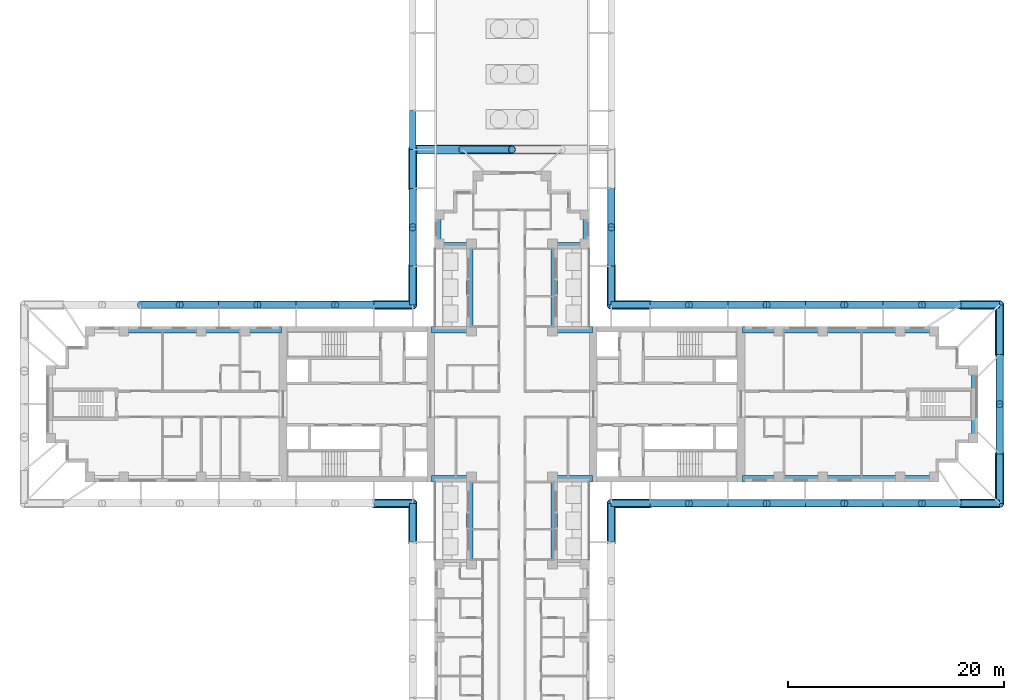
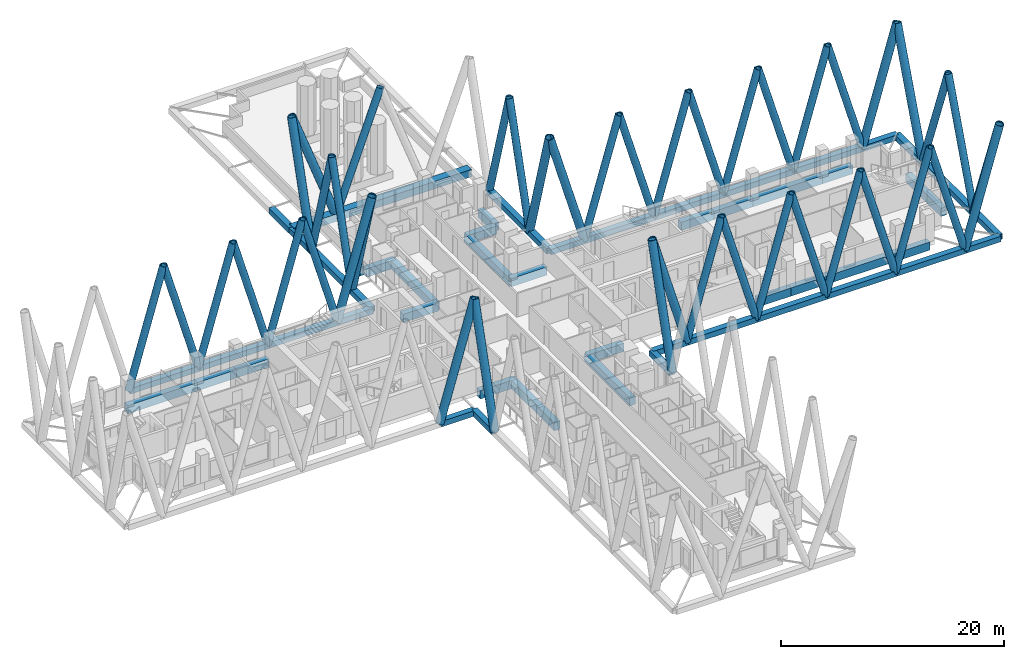
# One storey, part 2 of 16: 72 members, 24 beams.
"""IFC4 building model written with IfcOpenShell, lengths in metres."""

from ifc_helpers import new_model, si_unit, direction, frame, origin, origin_2d, place, context, subcontext, project, spatial, rectangle, hollow_rectangle, hollow_circle, extrude, material, material_profile, profile_set, type_object, element, save


model = new_model("IFC4")

# Units and contexts
model_context = context("Model", 3, precision=1e-05, world=origin(), true_north=direction((0.0, 1.0)))
body_context = subcontext(model_context, "Body", "Model", "MODEL_VIEW")
ifc_project = project(units=[si_unit("LENGTHUNIT", "METRE"), si_unit("AREAUNIT", "SQUARE_METRE"), si_unit("VOLUMEUNIT", "CUBIC_METRE"), si_unit("PLANEANGLEUNIT", "RADIAN"), si_unit("MASSUNIT", "GRAM", prefix="KILO")], contexts=[model_context])

# Site, building, storey
site_placement = place(None, origin())
site = spatial("IfcSite", under=ifc_project, at=site_placement, CompositionType="ELEMENT")
building_placement = place(site_placement, origin())
building = spatial("IfcBuilding", under=site, at=building_placement, Name="Fustian Cross Tower", CompositionType="ELEMENT")
storey_placement = place(building_placement, frame((0.0, 0.0, 66.89990234375)))
storey = spatial("IfcBuildingStorey", under=building, at=storey_placement, Name="L20", CompositionType="ELEMENT", Elevation=66.89990234375)

# Members
ifc_material_1 = material(Name="Steel S355", Category="steel")
ifc_material_profile_1 = material_profile(ifc_material_1, hollow_circle(Radius=0.355712890625, WallThickness=0.031982421875, at=origin_2d()), Name="CHS 711x32")
ifc_profile_set_1 = profile_set([ifc_material_profile_1], Name="Steel S355")
member_type_1 = type_object("IfcMemberType", Name="DIAGRID DIAGONAL CHS 711x32", PredefinedType="BRACE", material=ifc_profile_set_1)
for number, where, z_axis, x_axis, name in (
    (1, (12.800048828125, -9.199951171875, -0.39990234375), (0.278801756922, 0.0, 0.960348676438), (0.0, 1.0, 0.0), "Diagrid diagonal E-S 02"),
    (2, (20.0, -9.199951171875, -0.39990234375), (-0.278819195264, 0.0, 0.960343613689), (0.0, -1.0, 0.0), "Diagrid diagonal E-S 03"),
    (3, (20.0, -9.199951171875, -0.39990234375), (0.278819195264, 0.0, 0.960343613689), (0.0, 1.0, 0.0), "Diagrid diagonal E-S 04"),
    (4, (27.199951171875, -9.199951171875, -0.39990234375), (-0.278801756922, 0.0, 0.960348676438), (0.0, -1.0, 0.0), "Diagrid diagonal E-S 05"),
    (5, (27.199951171875, -9.199951171875, -0.39990234375), (0.278819195264, 0.0, 0.960343613689), (0.0, 1.0, 0.0), "Diagrid diagonal E-S 06"),
    (6, (34.39990234375, -9.199951171875, -0.39990234375), (-0.278801756922, 0.0, 0.960348676438), (0.0, -1.0, 0.0), "Diagrid diagonal E-S 07"),
    (7, (34.39990234375, -9.199951171875, -0.39990234375), (0.278819195264, 0.0, 0.960343613689), (0.0, 1.0, 0.0), "Diagrid diagonal E-S 08"),
    (8, (41.60009765625, -9.199951171875, -0.39990234375), (-0.278819195264, 0.0, 0.960343613689), (0.0, -1.0, 0.0), "Diagrid diagonal E-S 09"),
):
    element("IfcMember", number, at=place(storey_placement, frame(where, z_axis=z_axis, x_axis=x_axis)), inside=storey, type_object=member_type_1, Name=name, PredefinedType="BRACE", context=body_context, shape_type="SweptSolid", body=[
        extrude(hollow_circle(Radius=0.355712890625, WallThickness=0.031982421875, at=origin_2d()), origin(), (0.0, 0.0, 1.0), 12.911865234375),
    ])
for number, where, z_axis, x_axis, name in (
    (9, (45.199951171875, -4.60009765625, -0.39990234375), (0.0, 0.347815721372, 0.937562917338), (-1.0, 0.0, 0.0), "Diagrid diagonal E-end 02"),
    (10, (45.199951171875, 4.60009765625, -0.39990234375), (0.0, -0.347815721372, 0.937562917338), (1.0, 0.0, 0.0), "Diagrid diagonal E-end 03"),
):
    element("IfcMember", number, at=place(storey_placement, frame(where, z_axis=z_axis, x_axis=x_axis)), inside=storey, type_object=member_type_1, Name=name, PredefinedType="BRACE", context=body_context, shape_type="SweptSolid", body=[
        extrude(hollow_circle(Radius=0.355712890625, WallThickness=0.031982421875, at=origin_2d()), origin(), (0.0, 0.0, 1.0), 13.2255859375),
    ])
for number, where, z_axis, x_axis, name in (
    (11, (41.60009765625, 9.199951171875, -0.39990234375), (-0.278819195264, 0.0, 0.960343613689), (0.0, -1.0, 0.0), "Diagrid diagonal E-N 02"),
    (12, (34.39990234375, 9.199951171875, -0.39990234375), (0.278819195264, 0.0, 0.960343613689), (0.0, 1.0, 0.0), "Diagrid diagonal E-N 03"),
    (13, (34.39990234375, 9.199951171875, -0.39990234375), (-0.278801756922, 0.0, 0.960348676438), (0.0, -1.0, 0.0), "Diagrid diagonal E-N 04"),
    (14, (27.199951171875, 9.199951171875, -0.39990234375), (0.278819195264, 0.0, 0.960343613689), (0.0, 1.0, 0.0), "Diagrid diagonal E-N 05"),
    (15, (27.199951171875, 9.199951171875, -0.39990234375), (-0.278801756922, 0.0, 0.960348676438), (0.0, -1.0, 0.0), "Diagrid diagonal E-N 06"),
    (16, (20.0, 9.199951171875, -0.39990234375), (0.278819195264, 0.0, 0.960343613689), (0.0, 1.0, 0.0), "Diagrid diagonal E-N 07"),
    (17, (20.0, 9.199951171875, -0.39990234375), (-0.278819195264, 0.0, 0.960343613689), (0.0, -1.0, 0.0), "Diagrid diagonal E-N 08"),
    (18, (12.800048828125, 9.199951171875, -0.39990234375), (0.278801756922, 0.0, 0.960348676438), (0.0, 1.0, 0.0), "Diagrid diagonal E-N 09"),
    (19, (9.199951171875, 12.800048828125, -0.39990234375), (0.0, 0.278801756922, 0.960348676438), (-1.0, 0.0, 0.0), "Diagrid diagonal N-E 02"),
    (20, (9.199951171875, 20.0, -0.39990234375), (0.0, -0.278819195264, 0.960343613689), (1.0, 0.0, 0.0), "Diagrid diagonal N-E 03"),
):
    element("IfcMember", number, at=place(storey_placement, frame(where, z_axis=z_axis, x_axis=x_axis)), inside=storey, type_object=member_type_1, Name=name, PredefinedType="BRACE", context=body_context, shape_type="SweptSolid", body=[
        extrude(hollow_circle(Radius=0.355712890625, WallThickness=0.031982421875, at=origin_2d()), origin(), (0.0, 0.0, 1.0), 12.911865234375),
    ])
member_1_placement = place(storey_placement, frame((-4.60009765625, 23.60009765625, -0.39990234375), z_axis=(0.347815721372, 0.0, 0.937562917338), x_axis=(0.0, 1.0, 0.0)))
element("IfcMember", 21, at=member_1_placement, inside=storey, type_object=member_type_1, Name="Diagrid diagonal N-end 03", PredefinedType="BRACE", context=body_context, shape_type="SweptSolid", body=[
    extrude(hollow_circle(Radius=0.355712890625, WallThickness=0.031982421875, at=origin_2d()), origin(), (0.0, 0.0, 1.0), 13.2255859375),
])
for number, where, z_axis, x_axis, name in (
    (22, (-9.199951171875, 20.0, -0.39990234375), (0.0, -0.278819195264, 0.960343613689), (1.0, 0.0, 0.0), "Diagrid diagonal N-W 02"),
    (23, (-9.199951171875, 12.800048828125, -0.39990234375), (0.0, 0.278801756922, 0.960348676438), (-1.0, 0.0, 0.0), "Diagrid diagonal N-W 03"),
    (24, (-12.800048828125, 9.199951171875, -0.39990234375), (-0.278801756922, 0.0, 0.960348676438), (0.0, -1.0, 0.0), "Diagrid diagonal W-N 02"),
    (25, (-20.0, 9.199951171875, -0.39990234375), (0.278819195264, 0.0, 0.960343613689), (0.0, 1.0, 0.0), "Diagrid diagonal W-N 03"),
    (26, (-20.0, 9.199951171875, -0.39990234375), (-0.278819195264, 0.0, 0.960343613689), (0.0, -1.0, 0.0), "Diagrid diagonal W-N 04"),
    (27, (-27.199951171875, 9.199951171875, -0.39990234375), (0.278801756922, 0.0, 0.960348676438), (0.0, 1.0, 0.0), "Diagrid diagonal W-N 05"),
    (28, (-27.199951171875, 9.199951171875, -0.39990234375), (-0.278819195264, 0.0, 0.960343613689), (0.0, -1.0, 0.0), "Diagrid diagonal W-N 06"),
    (29, (-34.39990234375, 9.199951171875, -0.39990234375), (0.278801756922, 0.0, 0.960348676438), (0.0, 1.0, 0.0), "Diagrid diagonal W-N 07"),
):
    element("IfcMember", number, at=place(storey_placement, frame(where, z_axis=z_axis, x_axis=x_axis)), inside=storey, type_object=member_type_1, Name=name, PredefinedType="BRACE", context=body_context, shape_type="SweptSolid", body=[
        extrude(hollow_circle(Radius=0.355712890625, WallThickness=0.031982421875, at=origin_2d()), origin(), (0.0, 0.0, 1.0), 12.911865234375),
    ])
ifc_material_2 = material(Name="Steel S355", Category="steel")
ifc_material_profile_2 = material_profile(ifc_material_2, hollow_circle(Radius=0.406494140625, WallThickness=0.0400390625, at=origin_2d()), Name="CHS 813x40")
ifc_profile_set_2 = profile_set([ifc_material_profile_2], Name="Steel S355")
member_type_2 = type_object("IfcMemberType", Name="DIAGRID DIAGONAL CHS 813x40", PredefinedType="BRACE", material=ifc_profile_set_2)
for number, where, z_axis, x_axis, name in (
    (30, (12.800048828125, -9.199951171875, -0.39990234375), (-0.278819195264, 0.0, 0.960343613689), (0.0, -1.0, 0.0), "Diagrid diagonal E-S 01"),
    (31, (41.60009765625, -9.199951171875, -0.39990234375), (0.278801756922, 0.0, 0.960348676438), (0.0, 1.0, 0.0), "Diagrid diagonal E-S 10"),
):
    element("IfcMember", number, at=place(storey_placement, frame(where, z_axis=z_axis, x_axis=x_axis)), inside=storey, type_object=member_type_2, Name=name, PredefinedType="BRACE", context=body_context, shape_type="SweptSolid", body=[
        extrude(hollow_circle(Radius=0.406494140625, WallThickness=0.0400390625, at=origin_2d()), origin(), (0.0, 0.0, 1.0), 12.911865234375),
    ])
for number, where, z_axis, x_axis, name in (
    (32, (45.199951171875, -4.60009765625, -0.39990234375), (0.0, -0.347799494783, 0.937568936894), (1.0, 0.0, 0.0), "Diagrid diagonal E-end 01"),
    (33, (45.199951171875, 4.60009765625, -0.39990234375), (0.0, 0.347799494783, 0.937568936894), (-1.0, 0.0, 0.0), "Diagrid diagonal E-end 04"),
):
    element("IfcMember", number, at=place(storey_placement, frame(where, z_axis=z_axis, x_axis=x_axis)), inside=storey, type_object=member_type_2, Name=name, PredefinedType="BRACE", context=body_context, shape_type="SweptSolid", body=[
        extrude(hollow_circle(Radius=0.406494140625, WallThickness=0.0400390625, at=origin_2d()), origin(), (0.0, 0.0, 1.0), 13.2255859375),
    ])
for number, where, z_axis, x_axis, name in (
    (34, (41.60009765625, 9.199951171875, -0.39990234375), (0.278801756922, 0.0, 0.960348676438), (0.0, 1.0, 0.0), "Diagrid diagonal E-N 01"),
    (35, (12.800048828125, 9.199951171875, -0.39990234375), (-0.278819195264, 0.0, 0.960343613689), (0.0, -1.0, 0.0), "Diagrid diagonal E-N 10"),
    (36, (9.199951171875, 12.800048828125, -0.39990234375), (0.0, -0.278819195264, 0.960343613689), (1.0, 0.0, 0.0), "Diagrid diagonal N-E 01"),
):
    element("IfcMember", number, at=place(storey_placement, frame(where, z_axis=z_axis, x_axis=x_axis)), inside=storey, type_object=member_type_2, Name=name, PredefinedType="BRACE", context=body_context, shape_type="SweptSolid", body=[
        extrude(hollow_circle(Radius=0.406494140625, WallThickness=0.0400390625, at=origin_2d()), origin(), (0.0, 0.0, 1.0), 12.911865234375),
    ])
member_2_placement = place(storey_placement, frame((-4.60009765625, 23.60009765625, -0.39990234375), z_axis=(-0.347799494783, 0.0, 0.937568936894), x_axis=(0.0, -1.0, 0.0)))
element("IfcMember", 37, at=member_2_placement, inside=storey, type_object=member_type_2, Name="Diagrid diagonal N-end 04", PredefinedType="BRACE", context=body_context, shape_type="SweptSolid", body=[
    extrude(hollow_circle(Radius=0.406494140625, WallThickness=0.0400390625, at=origin_2d()), origin(), (0.0, 0.0, 1.0), 13.2255859375),
])
for number, where, z_axis, x_axis, name in (
    (38, (-9.199951171875, 20.0, -0.39990234375), (0.0, 0.278819195264, 0.960343613689), (-1.0, 0.0, 0.0), "Diagrid diagonal N-W 01"),
    (39, (-9.199951171875, 12.800048828125, -0.39990234375), (0.0, -0.278819195264, 0.960343613689), (1.0, 0.0, 0.0), "Diagrid diagonal N-W 04"),
    (40, (-12.800048828125, 9.199951171875, -0.39990234375), (0.278819195264, 0.0, 0.960343613689), (0.0, 1.0, 0.0), "Diagrid diagonal W-N 01"),
    (41, (-12.800048828125, -9.199951171875, -0.39990234375), (0.278819195264, 0.0, 0.960343613689), (0.0, 1.0, 0.0), "Diagrid diagonal W-S 10"),
    (42, (-9.199951171875, -12.800048828125, -0.39990234375), (0.0, 0.278819195264, 0.960343613689), (-1.0, 0.0, 0.0), "Diagrid diagonal S-W 01"),
    (43, (9.199951171875, -12.800048828125, -0.39990234375), (0.0, 0.278819195264, 0.960343613689), (-1.0, 0.0, 0.0), "Diagrid diagonal S-E 10"),
):
    element("IfcMember", number, at=place(storey_placement, frame(where, z_axis=z_axis, x_axis=x_axis)), inside=storey, type_object=member_type_2, Name=name, PredefinedType="BRACE", context=body_context, shape_type="SweptSolid", body=[
        extrude(hollow_circle(Radius=0.406494140625, WallThickness=0.0400390625, at=origin_2d()), origin(), (0.0, 0.0, 1.0), 12.911865234375),
    ])
ifc_material_3 = material(Name="Steel S355", Category="steel")
ifc_material_profile_3 = material_profile(ifc_material_3, hollow_rectangle(XDim=0.60009765625, YDim=0.60009765625, WallThickness=0.030029296875, at=origin_2d()), Name="RHS 600x600x30")
ifc_profile_set_3 = profile_set([ifc_material_profile_3], Name="Steel S355")
member_type_3 = type_object("IfcMemberType", Name="DIAGRID RING RHS 600x600x30", PredefinedType="MEMBER", material=ifc_profile_set_3)
member_3_placement = place(storey_placement, frame((45.199951171875, -4.60009765625, -0.39990234375), z_axis=(0.0, 1.0, 0.0), x_axis=(-1.0, 0.0, 0.0)))
element("IfcMember", 44, at=member_3_placement, inside=storey, type_object=member_type_3, Name="Diagrid ring L20-65 L20-01", PredefinedType="MEMBER", context=body_context, shape_type="SweptSolid", body=[
    extrude(hollow_rectangle(XDim=0.60009765625, YDim=0.60009765625, WallThickness=0.030029296875, at=origin_2d()), origin(), (0.0, 0.0, 1.0), 9.2001953125),
])
member_4_placement = place(storey_placement, frame((45.199951171875, 4.60009765625, -0.39990234375), z_axis=(0.0, 1.0, 0.0), x_axis=(-1.0, 0.0, 0.0)))
element("IfcMember", 45, at=member_4_placement, inside=storey, type_object=member_type_3, Name="Diagrid ring L20-01 L20-02", PredefinedType="MEMBER", context=body_context, shape_type="SweptSolid", body=[
    extrude(hollow_rectangle(XDim=0.60009765625, YDim=0.60009765625, WallThickness=0.030029296875, at=origin_2d()), origin(), (0.0, 0.0, 1.0), 4.599853515625),
])
member_5_placement = place(storey_placement, frame((45.199951171875, 9.199951171875, -0.39990234375), z_axis=(-1.0, 0.0, 0.0), x_axis=(0.0, -1.0, 0.0)))
element("IfcMember", 46, at=member_5_placement, inside=storey, type_object=member_type_3, Name="Diagrid ring L20-02 L20-03", PredefinedType="MEMBER", context=body_context, shape_type="SweptSolid", body=[
    extrude(hollow_rectangle(XDim=0.60009765625, YDim=0.60009765625, WallThickness=0.030029296875, at=origin_2d()), origin(), (0.0, 0.0, 1.0), 3.599853515625),
])
member_6_placement = place(storey_placement, frame((41.60009765625, 9.199951171875, -0.39990234375), z_axis=(-1.0, 0.0, 0.0), x_axis=(0.0, -1.0, 0.0)))
element("IfcMember", 47, at=member_6_placement, inside=storey, type_object=member_type_3, Name="Diagrid ring L20-03 L20-04", PredefinedType="MEMBER", context=body_context, shape_type="SweptSolid", body=[
    extrude(hollow_rectangle(XDim=0.60009765625, YDim=0.60009765625, WallThickness=0.030029296875, at=origin_2d()), origin(), (0.0, 0.0, 1.0), 7.2001953125),
])
for number, where, z_axis, x_axis, name in (
    (48, (34.39990234375, 9.199951171875, -0.39990234375), (-1.0, 0.0, 0.0), (0.0, -1.0, 0.0), "Diagrid ring L20-04 L20-05"),
    (49, (27.199951171875, 9.199951171875, -0.39990234375), (-1.0, 0.0, 0.0), (0.0, -1.0, 0.0), "Diagrid ring L20-05 L20-06"),
    (50, (20.0, 9.199951171875, -0.39990234375), (-1.0, 0.0, 0.0), (0.0, -1.0, 0.0), "Diagrid ring L20-06 L20-07"),
):
    element("IfcMember", number, at=place(storey_placement, frame(where, z_axis=z_axis, x_axis=x_axis)), inside=storey, type_object=member_type_3, Name=name, PredefinedType="MEMBER", context=body_context, shape_type="SweptSolid", body=[
        extrude(hollow_rectangle(XDim=0.60009765625, YDim=0.60009765625, WallThickness=0.030029296875, at=origin_2d()), origin(), (0.0, 0.0, 1.0), 7.199951171875),
    ])
for number, where, z_axis, x_axis, name in (
    (51, (12.800048828125, 9.199951171875, -0.39990234375), (-1.0, 0.0, 0.0), (0.0, -1.0, 0.0), "Diagrid ring L20-07 L20-08"),
    (52, (9.199951171875, 9.199951171875, -0.39990234375), (0.0, 1.0, 0.0), (-1.0, 0.0, 0.0), "Diagrid ring L20-08 L20-09"),
):
    element("IfcMember", number, at=place(storey_placement, frame(where, z_axis=z_axis, x_axis=x_axis)), inside=storey, type_object=member_type_3, Name=name, PredefinedType="MEMBER", context=body_context, shape_type="SweptSolid", body=[
        extrude(hollow_rectangle(XDim=0.60009765625, YDim=0.60009765625, WallThickness=0.030029296875, at=origin_2d()), origin(), (0.0, 0.0, 1.0), 3.60009765625),
    ])
member_7_placement = place(storey_placement, frame((9.199951171875, 12.800048828125, -0.39990234375), z_axis=(0.0, 1.0, 0.0), x_axis=(-1.0, 0.0, 0.0)))
element("IfcMember", 53, at=member_7_placement, inside=storey, type_object=member_type_3, Name="Diagrid ring L20-09 L20-10", PredefinedType="MEMBER", context=body_context, shape_type="SweptSolid", body=[
    extrude(hollow_rectangle(XDim=0.60009765625, YDim=0.60009765625, WallThickness=0.030029296875, at=origin_2d()), origin(), (0.0, 0.0, 1.0), 7.199951171875),
])
member_8_placement = place(storey_placement, frame((-9.199951171875, 27.199951171875, -0.39990234375), z_axis=(0.0, -1.0, 0.0), x_axis=(1.0, 0.0, 0.0)))
element("IfcMember", 54, at=member_8_placement, inside=storey, type_object=member_type_3, Name="Diagrid ring L20-23 L20-24", PredefinedType="MEMBER", context=body_context, shape_type="SweptSolid", body=[
    extrude(hollow_rectangle(XDim=0.60009765625, YDim=0.60009765625, WallThickness=0.030029296875, at=origin_2d()), origin(), (0.0, 0.0, 1.0), 3.599853515625),
])
member_9_placement = place(storey_placement, frame((-9.199951171875, 23.60009765625, -0.39990234375), z_axis=(0.0, -1.0, 0.0), x_axis=(1.0, 0.0, 0.0)))
element("IfcMember", 55, at=member_9_placement, inside=storey, type_object=member_type_3, Name="Diagrid ring L20-24 L20-25", PredefinedType="MEMBER", context=body_context, shape_type="SweptSolid", body=[
    extrude(hollow_rectangle(XDim=0.60009765625, YDim=0.60009765625, WallThickness=0.030029296875, at=origin_2d()), origin(), (0.0, 0.0, 1.0), 3.60009765625),
])
member_10_placement = place(storey_placement, frame((-9.199951171875, 20.0, -0.39990234375), z_axis=(0.0, -1.0, 0.0), x_axis=(1.0, 0.0, 0.0)))
element("IfcMember", 56, at=member_10_placement, inside=storey, type_object=member_type_3, Name="Diagrid ring L20-25 L20-26", PredefinedType="MEMBER", context=body_context, shape_type="SweptSolid", body=[
    extrude(hollow_rectangle(XDim=0.60009765625, YDim=0.60009765625, WallThickness=0.030029296875, at=origin_2d()), origin(), (0.0, 0.0, 1.0), 7.199951171875),
])
for number, where, z_axis, x_axis, name in (
    (57, (-9.199951171875, 12.800048828125, -0.39990234375), (0.0, -1.0, 0.0), (1.0, 0.0, 0.0), "Diagrid ring L20-26 L20-27"),
    (58, (-9.199951171875, 9.199951171875, -0.39990234375), (-1.0, 0.0, 0.0), (0.0, -1.0, 0.0), "Diagrid ring L20-27 L20-28"),
):
    element("IfcMember", number, at=place(storey_placement, frame(where, z_axis=z_axis, x_axis=x_axis)), inside=storey, type_object=member_type_3, Name=name, PredefinedType="MEMBER", context=body_context, shape_type="SweptSolid", body=[
        extrude(hollow_rectangle(XDim=0.60009765625, YDim=0.60009765625, WallThickness=0.030029296875, at=origin_2d()), origin(), (0.0, 0.0, 1.0), 3.60009765625),
    ])
for number, where, z_axis, x_axis, name in (
    (59, (-12.800048828125, 9.199951171875, -0.39990234375), (-1.0, 0.0, 0.0), (0.0, -1.0, 0.0), "Diagrid ring L20-28 L20-29"),
    (60, (-20.0, 9.199951171875, -0.39990234375), (-1.0, 0.0, 0.0), (0.0, -1.0, 0.0), "Diagrid ring L20-29 L20-30"),
    (61, (-27.199951171875, 9.199951171875, -0.39990234375), (-1.0, 0.0, 0.0), (0.0, -1.0, 0.0), "Diagrid ring L20-30 L20-31"),
):
    element("IfcMember", number, at=place(storey_placement, frame(where, z_axis=z_axis, x_axis=x_axis)), inside=storey, type_object=member_type_3, Name=name, PredefinedType="MEMBER", context=body_context, shape_type="SweptSolid", body=[
        extrude(hollow_rectangle(XDim=0.60009765625, YDim=0.60009765625, WallThickness=0.030029296875, at=origin_2d()), origin(), (0.0, 0.0, 1.0), 7.199951171875),
    ])
for number, where, z_axis, x_axis, name in (
    (62, (-12.800048828125, -9.199951171875, -0.39990234375), (1.0, 0.0, 0.0), (0.0, 1.0, 0.0), "Diagrid ring L20-42 L20-43"),
    (63, (-9.199951171875, -9.199951171875, -0.39990234375), (0.0, -1.0, 0.0), (1.0, 0.0, 0.0), "Diagrid ring L20-43 L20-44"),
    (64, (9.199951171875, -12.800048828125, -0.39990234375), (0.0, 1.0, 0.0), (-1.0, 0.0, 0.0), "Diagrid ring L20-57 L20-58"),
    (65, (9.199951171875, -9.199951171875, -0.39990234375), (1.0, 0.0, 0.0), (0.0, 1.0, 0.0), "Diagrid ring L20-58 L20-59"),
):
    element("IfcMember", number, at=place(storey_placement, frame(where, z_axis=z_axis, x_axis=x_axis)), inside=storey, type_object=member_type_3, Name=name, PredefinedType="MEMBER", context=body_context, shape_type="SweptSolid", body=[
        extrude(hollow_rectangle(XDim=0.60009765625, YDim=0.60009765625, WallThickness=0.030029296875, at=origin_2d()), origin(), (0.0, 0.0, 1.0), 3.60009765625),
    ])
for number, where, z_axis, x_axis, name in (
    (66, (12.800048828125, -9.199951171875, -0.39990234375), (1.0, 0.0, 0.0), (0.0, 1.0, 0.0), "Diagrid ring L20-59 L20-60"),
    (67, (20.0, -9.199951171875, -0.39990234375), (1.0, 0.0, 0.0), (0.0, 1.0, 0.0), "Diagrid ring L20-60 L20-61"),
    (68, (27.199951171875, -9.199951171875, -0.39990234375), (1.0, 0.0, 0.0), (0.0, 1.0, 0.0), "Diagrid ring L20-61 L20-62"),
):
    element("IfcMember", number, at=place(storey_placement, frame(where, z_axis=z_axis, x_axis=x_axis)), inside=storey, type_object=member_type_3, Name=name, PredefinedType="MEMBER", context=body_context, shape_type="SweptSolid", body=[
        extrude(hollow_rectangle(XDim=0.60009765625, YDim=0.60009765625, WallThickness=0.030029296875, at=origin_2d()), origin(), (0.0, 0.0, 1.0), 7.199951171875),
    ])
member_11_placement = place(storey_placement, frame((34.39990234375, -9.199951171875, -0.39990234375), z_axis=(1.0, 0.0, 0.0), x_axis=(0.0, 1.0, 0.0)))
element("IfcMember", 69, at=member_11_placement, inside=storey, type_object=member_type_3, Name="Diagrid ring L20-62 L20-63", PredefinedType="MEMBER", context=body_context, shape_type="SweptSolid", body=[
    extrude(hollow_rectangle(XDim=0.60009765625, YDim=0.60009765625, WallThickness=0.030029296875, at=origin_2d()), origin(), (0.0, 0.0, 1.0), 7.2001953125),
])
member_12_placement = place(storey_placement, frame((41.60009765625, -9.199951171875, -0.39990234375), z_axis=(1.0, 0.0, 0.0), x_axis=(0.0, 1.0, 0.0)))
element("IfcMember", 70, at=member_12_placement, inside=storey, type_object=member_type_3, Name="Diagrid ring L20-63 L20-64", PredefinedType="MEMBER", context=body_context, shape_type="SweptSolid", body=[
    extrude(hollow_rectangle(XDim=0.60009765625, YDim=0.60009765625, WallThickness=0.030029296875, at=origin_2d()), origin(), (0.0, 0.0, 1.0), 3.599853515625),
])
member_13_placement = place(storey_placement, frame((45.199951171875, -9.199951171875, -0.39990234375), z_axis=(0.0, 1.0, 0.0), x_axis=(-1.0, 0.0, 0.0)))
element("IfcMember", 71, at=member_13_placement, inside=storey, type_object=member_type_3, Name="Diagrid ring L20-64 L20-65", PredefinedType="MEMBER", context=body_context, shape_type="SweptSolid", body=[
    extrude(hollow_rectangle(XDim=0.60009765625, YDim=0.60009765625, WallThickness=0.030029296875, at=origin_2d()), origin(), (0.0, 0.0, 1.0), 4.599853515625),
])
ifc_material_4 = material(Name="Steel S355", Category="steel")
ifc_material_profile_4 = material_profile(ifc_material_4, hollow_rectangle(XDim=0.800048828125, YDim=0.800048828125, WallThickness=0.0400390625, at=origin_2d()), Name="RHS 800x800x40")
ifc_profile_set_4 = profile_set([ifc_material_profile_4], Name="Steel S355")
member_type_4 = type_object("IfcMemberType", Name="DIAGRID RING RHS 800x800x40", PredefinedType="MEMBER", material=ifc_profile_set_4)
member_14_placement = place(storey_placement, frame((9.199951171875, 23.60009765625, -0.39990234375), z_axis=(-1.0, 0.0, 0.0), x_axis=(0.0, -1.0, 0.0)))
element("IfcMember", 72, at=member_14_placement, inside=storey, type_object=member_type_4, Name="Diagrid ring L20-11 L20-24", PredefinedType="MEMBER", context=body_context, shape_type="SweptSolid", body=[
    extrude(hollow_rectangle(XDim=0.800048828125, YDim=0.800048828125, WallThickness=0.0400390625, at=origin_2d()), origin(), (0.0, 0.0, 1.0), 18.39990234375),
])

# Beams
ifc_material_5 = material(Name="Concrete C50/60", Category="concrete")
ifc_material_profile_5 = material_profile(ifc_material_5, rectangle(XDim=0.60009765625, YDim=0.89990234375, at=origin_2d()), Name="RC 600x900")
ifc_profile_set_5 = profile_set([ifc_material_profile_5], Name="Concrete C50/60")
beam_type = type_object("IfcBeamType", Name="EDGE BEAM RC 600x900 C50/60", PredefinedType="SPANDREL", material=ifc_profile_set_5)
beam_1_placement = place(storey_placement, frame((21.35009765625, -6.89990234375, -0.449951171875), z_axis=(1.0, 0.0, 0.0), x_axis=(0.0, 1.0, 0.0)))
element("IfcBeam", 73, at=beam_1_placement, inside=storey, type_object=beam_type, Name="EDGE BEAM L20-01", PredefinedType="SPANDREL", context=body_context, shape_type="SweptSolid", body=[
    extrude(rectangle(XDim=0.60009765625, YDim=0.89990234375, at=origin_2d()), origin(), (0.0, 0.0, 1.0), 3.39990234375),
])
beam_2_placement = place(storey_placement, frame((24.75, -6.89990234375, -0.449951171875), z_axis=(1.0, 0.0, 0.0), x_axis=(0.0, 1.0, 0.0)))
element("IfcBeam", 74, at=beam_2_placement, inside=storey, type_object=beam_type, Name="EDGE BEAM L20-02", PredefinedType="SPANDREL", context=body_context, shape_type="SweptSolid", body=[
    extrude(rectangle(XDim=0.60009765625, YDim=0.89990234375, at=origin_2d()), origin(), (0.0, 0.0, 1.0), 4.050048828125),
])
beam_3_placement = place(storey_placement, frame((28.800048828125, -6.89990234375, -0.449951171875), z_axis=(1.0, 0.0, 0.0), x_axis=(0.0, 1.0, 0.0)))
element("IfcBeam", 75, at=beam_3_placement, inside=storey, type_object=beam_type, Name="EDGE BEAM L20-03", PredefinedType="SPANDREL", context=body_context, shape_type="SweptSolid", body=[
    extrude(rectangle(XDim=0.60009765625, YDim=0.89990234375, at=origin_2d()), origin(), (0.0, 0.0, 1.0), 7.199951171875),
])
beam_4_placement = place(storey_placement, frame((36.0, -6.89990234375, -0.449951171875), z_axis=(1.0, 0.0, 0.0), x_axis=(0.0, 1.0, 0.0)))
element("IfcBeam", 76, at=beam_4_placement, inside=storey, type_object=beam_type, Name="EDGE BEAM L20-04", PredefinedType="SPANDREL", context=body_context, shape_type="SweptSolid", body=[
    extrude(rectangle(XDim=0.60009765625, YDim=0.89990234375, at=origin_2d()), origin(), (0.0, 0.0, 1.0), 3.14990234375),
])
beam_5_placement = place(storey_placement, frame((42.89990234375, -3.14990234375, -0.449951171875), z_axis=(0.0, 1.0, 0.0), x_axis=(-1.0, 0.0, 0.0)))
element("IfcBeam", 77, at=beam_5_placement, inside=storey, type_object=beam_type, Name="EDGE BEAM L20-05", PredefinedType="SPANDREL", context=body_context, shape_type="SweptSolid", body=[
    extrude(rectangle(XDim=0.60009765625, YDim=0.89990234375, at=origin_2d()), origin(), (0.0, 0.0, 1.0), 6.2998046875),
])
beam_6_placement = place(storey_placement, frame((39.14990234375, 6.89990234375, -0.449951171875), z_axis=(-1.0, 0.0, 0.0), x_axis=(0.0, -1.0, 0.0)))
element("IfcBeam", 78, at=beam_6_placement, inside=storey, type_object=beam_type, Name="EDGE BEAM L20-06", PredefinedType="SPANDREL", context=body_context, shape_type="SweptSolid", body=[
    extrude(rectangle(XDim=0.60009765625, YDim=0.89990234375, at=origin_2d()), origin(), (0.0, 0.0, 1.0), 3.14990234375),
])
beam_7_placement = place(storey_placement, frame((36.0, 6.89990234375, -0.449951171875), z_axis=(-1.0, 0.0, 0.0), x_axis=(0.0, -1.0, 0.0)))
element("IfcBeam", 79, at=beam_7_placement, inside=storey, type_object=beam_type, Name="EDGE BEAM L20-07", PredefinedType="SPANDREL", context=body_context, shape_type="SweptSolid", body=[
    extrude(rectangle(XDim=0.60009765625, YDim=0.89990234375, at=origin_2d()), origin(), (0.0, 0.0, 1.0), 7.199951171875),
])
beam_8_placement = place(storey_placement, frame((28.800048828125, 6.89990234375, -0.449951171875), z_axis=(-1.0, 0.0, 0.0), x_axis=(0.0, -1.0, 0.0)))
element("IfcBeam", 80, at=beam_8_placement, inside=storey, type_object=beam_type, Name="EDGE BEAM L20-08", PredefinedType="SPANDREL", context=body_context, shape_type="SweptSolid", body=[
    extrude(rectangle(XDim=0.60009765625, YDim=0.89990234375, at=origin_2d()), origin(), (0.0, 0.0, 1.0), 4.050048828125),
])
beam_9_placement = place(storey_placement, frame((24.75, 6.89990234375, -0.449951171875), z_axis=(-1.0, 0.0, 0.0), x_axis=(0.0, -1.0, 0.0)))
element("IfcBeam", 81, at=beam_9_placement, inside=storey, type_object=beam_type, Name="EDGE BEAM L20-09", PredefinedType="SPANDREL", context=body_context, shape_type="SweptSolid", body=[
    extrude(rectangle(XDim=0.60009765625, YDim=0.89990234375, at=origin_2d()), origin(), (0.0, 0.0, 1.0), 3.39990234375),
])
beam_10_placement = place(storey_placement, frame((7.449951171875, 6.89990234375, -0.449951171875), z_axis=(-1.0, 0.0, 0.0), x_axis=(0.0, -1.0, 0.0)))
element("IfcBeam", 82, at=beam_10_placement, inside=storey, type_object=beam_type, Name="EDGE BEAM L20-10", PredefinedType="SPANDREL", context=body_context, shape_type="SweptSolid", body=[
    extrude(rectangle(XDim=0.60009765625, YDim=0.89990234375, at=origin_2d()), origin(), (0.0, 0.0, 1.0), 3.699951171875),
])
beam_11_placement = place(storey_placement, frame((3.89990234375, 6.75, -0.449951171875), z_axis=(0.0, 1.0, 0.0), x_axis=(-1.0, 0.0, 0.0)))
element("IfcBeam", 83, at=beam_11_placement, inside=storey, type_object=beam_type, Name="EDGE BEAM L20-11", PredefinedType="SPANDREL", context=body_context, shape_type="SweptSolid", body=[
    extrude(rectangle(XDim=0.60009765625, YDim=0.89990234375, at=origin_2d()), origin(), (0.0, 0.0, 1.0), 8.10009765625),
])
beam_12_placement = place(storey_placement, frame((3.75, 14.699951171875, -0.449951171875), z_axis=(1.0, 0.0, 0.0), x_axis=(0.0, 1.0, 0.0)))
element("IfcBeam", 84, at=beam_12_placement, inside=storey, type_object=beam_type, Name="EDGE BEAM L20-12", PredefinedType="SPANDREL", context=body_context, shape_type="SweptSolid", body=[
    extrude(rectangle(XDim=0.60009765625, YDim=0.89990234375, at=origin_2d()), origin(), (0.0, 0.0, 1.0), 3.0),
])
for number, where, z_axis, x_axis, name in (
    (85, (6.89990234375, 14.85009765625, -0.449951171875), (0.0, 1.0, 0.0), (-1.0, 0.0, 0.0), "EDGE BEAM L20-13"),
    (86, (-6.89990234375, 17.550048828125, -0.449951171875), (0.0, -1.0, 0.0), (1.0, 0.0, 0.0), "EDGE BEAM L20-14"),
):
    element("IfcBeam", number, at=place(storey_placement, frame(where, z_axis=z_axis, x_axis=x_axis)), inside=storey, type_object=beam_type, Name=name, PredefinedType="SPANDREL", context=body_context, shape_type="SweptSolid", body=[
        extrude(rectangle(XDim=0.60009765625, YDim=0.89990234375, at=origin_2d()), origin(), (0.0, 0.0, 1.0), 2.699951171875),
    ])
beam_13_placement = place(storey_placement, frame((-6.75, 14.699951171875, -0.449951171875), z_axis=(1.0, 0.0, 0.0), x_axis=(0.0, 1.0, 0.0)))
element("IfcBeam", 87, at=beam_13_placement, inside=storey, type_object=beam_type, Name="EDGE BEAM L20-15", PredefinedType="SPANDREL", context=body_context, shape_type="SweptSolid", body=[
    extrude(rectangle(XDim=0.60009765625, YDim=0.89990234375, at=origin_2d()), origin(), (0.0, 0.0, 1.0), 3.0),
])
beam_14_placement = place(storey_placement, frame((-3.89990234375, 14.85009765625, -0.449951171875), z_axis=(0.0, -1.0, 0.0), x_axis=(1.0, 0.0, 0.0)))
element("IfcBeam", 88, at=beam_14_placement, inside=storey, type_object=beam_type, Name="EDGE BEAM L20-16", PredefinedType="SPANDREL", context=body_context, shape_type="SweptSolid", body=[
    extrude(rectangle(XDim=0.60009765625, YDim=0.89990234375, at=origin_2d()), origin(), (0.0, 0.0, 1.0), 8.10009765625),
])
beam_15_placement = place(storey_placement, frame((-3.75, 6.89990234375, -0.449951171875), z_axis=(-1.0, 0.0, 0.0), x_axis=(0.0, -1.0, 0.0)))
element("IfcBeam", 89, at=beam_15_placement, inside=storey, type_object=beam_type, Name="EDGE BEAM L20-17", PredefinedType="SPANDREL", context=body_context, shape_type="SweptSolid", body=[
    extrude(rectangle(XDim=0.60009765625, YDim=0.89990234375, at=origin_2d()), origin(), (0.0, 0.0, 1.0), 3.699951171875),
])
beam_16_placement = place(storey_placement, frame((-21.35009765625, 6.89990234375, -0.449951171875), z_axis=(-1.0, 0.0, 0.0), x_axis=(0.0, -1.0, 0.0)))
element("IfcBeam", 90, at=beam_16_placement, inside=storey, type_object=beam_type, Name="EDGE BEAM L20-18", PredefinedType="SPANDREL", context=body_context, shape_type="SweptSolid", body=[
    extrude(rectangle(XDim=0.60009765625, YDim=0.89990234375, at=origin_2d()), origin(), (0.0, 0.0, 1.0), 3.39990234375),
])
beam_17_placement = place(storey_placement, frame((-24.75, 6.89990234375, -0.449951171875), z_axis=(-1.0, 0.0, 0.0), x_axis=(0.0, -1.0, 0.0)))
element("IfcBeam", 91, at=beam_17_placement, inside=storey, type_object=beam_type, Name="EDGE BEAM L20-19", PredefinedType="SPANDREL", context=body_context, shape_type="SweptSolid", body=[
    extrude(rectangle(XDim=0.60009765625, YDim=0.89990234375, at=origin_2d()), origin(), (0.0, 0.0, 1.0), 4.050048828125),
])
beam_18_placement = place(storey_placement, frame((-28.800048828125, 6.89990234375, -0.449951171875), z_axis=(-1.0, 0.0, 0.0), x_axis=(0.0, -1.0, 0.0)))
element("IfcBeam", 92, at=beam_18_placement, inside=storey, type_object=beam_type, Name="EDGE BEAM L20-20", PredefinedType="SPANDREL", context=body_context, shape_type="SweptSolid", body=[
    extrude(rectangle(XDim=0.60009765625, YDim=0.89990234375, at=origin_2d()), origin(), (0.0, 0.0, 1.0), 7.199951171875),
])
beam_19_placement = place(storey_placement, frame((-7.449951171875, -6.89990234375, -0.449951171875), z_axis=(1.0, 0.0, 0.0), x_axis=(0.0, 1.0, 0.0)))
element("IfcBeam", 93, at=beam_19_placement, inside=storey, type_object=beam_type, Name="EDGE BEAM L20-27", PredefinedType="SPANDREL", context=body_context, shape_type="SweptSolid", body=[
    extrude(rectangle(XDim=0.60009765625, YDim=0.89990234375, at=origin_2d()), origin(), (0.0, 0.0, 1.0), 3.699951171875),
])
for number, where, z_axis, x_axis, name in (
    (94, (-3.89990234375, -6.75, -0.449951171875), (0.0, -1.0, 0.0), (1.0, 0.0, 0.0), "EDGE BEAM L20-28"),
    (95, (3.89990234375, -14.85009765625, -0.449951171875), (0.0, 1.0, 0.0), (-1.0, 0.0, 0.0), "EDGE BEAM L20-42"),
):
    element("IfcBeam", number, at=place(storey_placement, frame(where, z_axis=z_axis, x_axis=x_axis)), inside=storey, type_object=beam_type, Name=name, PredefinedType="SPANDREL", context=body_context, shape_type="SweptSolid", body=[
        extrude(rectangle(XDim=0.60009765625, YDim=0.89990234375, at=origin_2d()), origin(), (0.0, 0.0, 1.0), 8.10009765625),
    ])
beam_20_placement = place(storey_placement, frame((3.75, -6.89990234375, -0.449951171875), z_axis=(1.0, 0.0, 0.0), x_axis=(0.0, 1.0, 0.0)))
element("IfcBeam", 96, at=beam_20_placement, inside=storey, type_object=beam_type, Name="EDGE BEAM L20-43", PredefinedType="SPANDREL", context=body_context, shape_type="SweptSolid", body=[
    extrude(rectangle(XDim=0.60009765625, YDim=0.89990234375, at=origin_2d()), origin(), (0.0, 0.0, 1.0), 3.699951171875),
])

save(model, "model.ifc")
